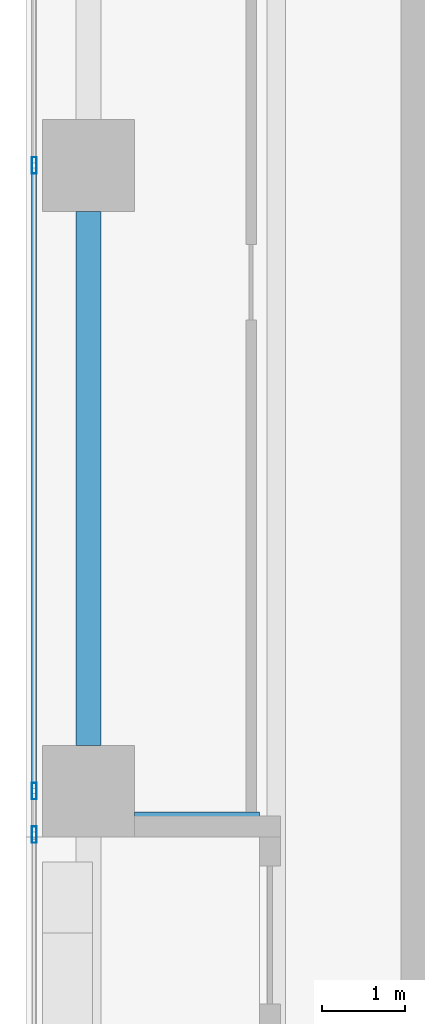
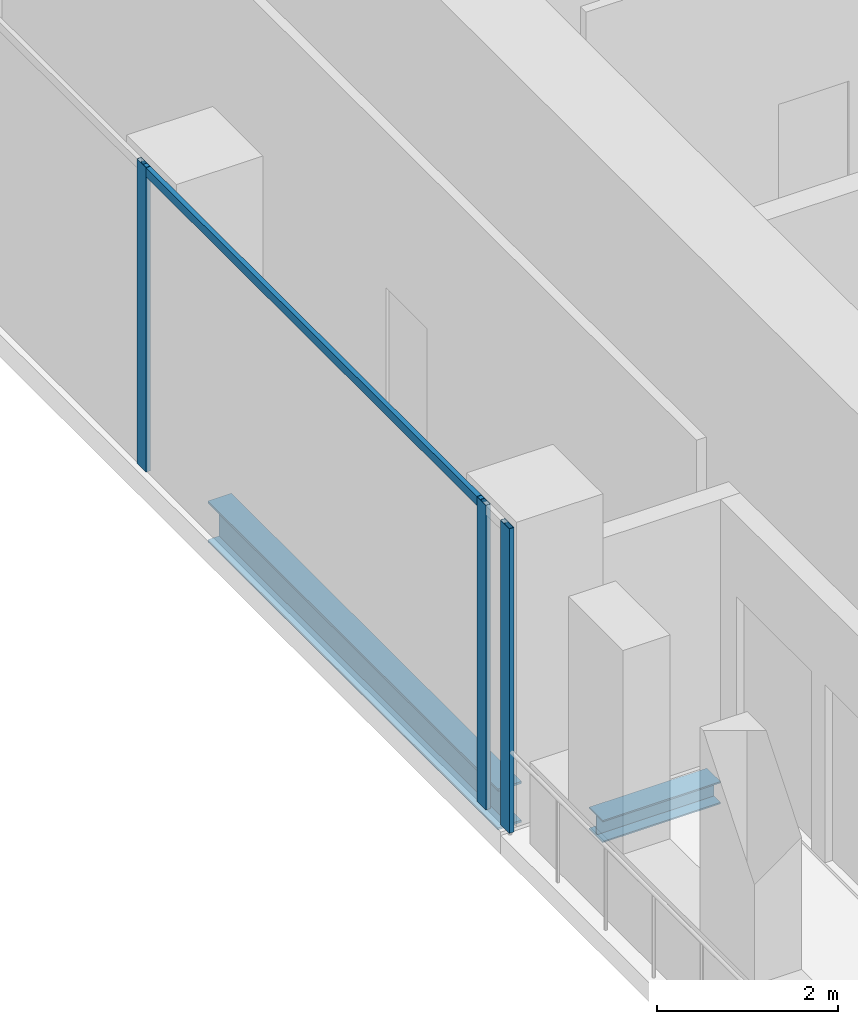
# One storey, part 7 of 33: 4 members, 2 beams, 1 element without a shape of its own.
"""IFC4 building model written with IfcOpenShell, lengths in metres."""

from ifc_helpers import new_model, si_unit, direction, frame, origin, origin_2d, place, context, subcontext, project, spatial, hollow_rectangle, i_section, extrude, source, transform, mapped, material, material_profile, profile_set, type_object, element, aggregate, save


model = new_model("IFC4")

# Units and contexts
model_context = context("Model", 3, precision=1e-05, world=origin(), true_north=direction((0.0, 1.0)))
body_context = subcontext(model_context, "Body", "Model", "MODEL_VIEW")
ifc_project = project(units=[si_unit("LENGTHUNIT", "METRE"), si_unit("AREAUNIT", "SQUARE_METRE"), si_unit("VOLUMEUNIT", "CUBIC_METRE"), si_unit("PLANEANGLEUNIT", "RADIAN"), si_unit("MASSUNIT", "GRAM", prefix="KILO")], contexts=[model_context])

# Site, building, storey
site_placement = place(None, origin())
site = spatial("IfcSite", under=ifc_project, at=site_placement, CompositionType="ELEMENT")
building_placement = place(site_placement, origin())
building = spatial("IfcBuilding", under=site, at=building_placement, Name="Khomas Fold Tower", CompositionType="ELEMENT")
storey_placement = place(building_placement, frame((0.0, 0.0, 149.89990234375)))
storey = spatial("IfcBuildingStorey", under=building, at=storey_placement, Name="L32", CompositionType="ELEMENT", Elevation=149.89990234375)

# Beams
ifc_material_1 = material(Name="Steel S355", Category="steel")
ifc_material_profile_1 = material_profile(ifc_material_1, i_section(OverallWidth=0.300048828125, OverallDepth=0.550048828125, WebThickness=0.014892578125, FlangeThickness=0.029052734375, at=origin_2d()), Name="HE 550 B")
ifc_profile_set_1 = profile_set([ifc_material_profile_1], Name="Steel S355")
beam_type_1 = type_object("IfcBeamType", Name="HE 550 B spandrel SB2", PredefinedType="SPANDREL", material=ifc_profile_set_1)
shared_shape_1 = source(origin(), body_context, "Body", "SweptSolid", [
    extrude(i_section(OverallWidth=0.300048828125, OverallDepth=0.550048828125, WebThickness=0.014892578125, FlangeThickness=0.029052734375, at=origin_2d()), origin(), (0.0, 0.0, 1.0), 6.39990234375),
])
beam_1_placement = place(storey_placement, frame((2.25, 20.050048828125, -0.574951171875), z_axis=(0.0, 1.0, 0.0), x_axis=(-1.0, 0.0, 0.0)))
element("IfcBeam", 1, at=beam_1_placement, inside=storey, type_object=beam_type_1, Name="SB2", PredefinedType="SPANDREL", context=body_context, shape_type="MappedRepresentation", body=[
    mapped(shared_shape_1, transform((0.0, 0.0, 0.0))),
])
ifc_material_2 = material(Name="Steel S355", Category="steel")
ifc_material_profile_2 = material_profile(ifc_material_2, i_section(OverallWidth=0.300048828125, OverallDepth=0.300048828125, WebThickness=0.010986328125, FlangeThickness=0.01904296875, at=origin_2d()), Name="HE 300 B")
ifc_profile_set_2 = profile_set([ifc_material_profile_2], Name="Steel S355")
beam_type_2 = type_object("IfcBeamType", Name="HE 300 B beam BB1", PredefinedType="BEAM", material=ifc_profile_set_2)
shared_shape_2 = source(origin(), body_context, "Body", "SweptSolid", [
    extrude(i_section(OverallWidth=0.300048828125, OverallDepth=0.300048828125, WebThickness=0.010986328125, FlangeThickness=0.01904296875, at=origin_2d()), origin(), (0.0, 0.0, 1.0), 1.5),
])
beam_2_placement = place(storey_placement, frame((2.800048828125, 19.10009765625, -0.449951171875), z_axis=(1.0, 0.0, 0.0), x_axis=(0.0, 1.0, 0.0)))
element("IfcBeam", 2, at=beam_2_placement, inside=storey, type_object=beam_type_2, Name="BB1", PredefinedType="BEAM", context=body_context, shape_type="MappedRepresentation", body=[
    mapped(shared_shape_2, transform((0.0, 0.0, 0.0))),
])

# Curtain wall, members
ifc_material_3 = material(Name="Aluminium framed double glazing", Category="aluminium")
curtain_wall_type = type_object("IfcCurtainWallType", Name="SK-Unitised clear-glass wall, growing floors CW1", PredefinedType="NOTDEFINED", material=ifc_material_3)
curtain_wall_placement = place(storey_placement, origin())
curtain_wall = element("IfcCurtainWall", 3, at=curtain_wall_placement, inside=storey, type_object=curtain_wall_type, Name="CW1 run L32 09-0", PredefinedType="NOTDEFINED")
ifc_material_4 = material(Name="Aluminium", Category="aluminium")
ifc_material_profile_3 = material_profile(ifc_material_4, hollow_rectangle(XDim=0.06005859375, YDim=0.1201171875, WallThickness=0.00390625, at=origin_2d()), Name="SK-Unitised clear-glass wall, growing floors transom CW1-T")
ifc_profile_set_3 = profile_set([ifc_material_profile_3], Name="Aluminium")
member_type_1 = type_object("IfcMemberType", Name="SK-Unitised clear-glass wall, growing floors transom CW1-T", PredefinedType="USERDEFINED", material=ifc_profile_set_3)
shared_shape_3 = source(origin(), body_context, "Body", "SweptSolid", [
    extrude(hollow_rectangle(XDim=0.06005859375, YDim=0.1201171875, WallThickness=0.00390625, at=origin_2d()), origin(), (0.0, 0.0, 1.0), 7.43994140625),
])
member_1_placement = place(storey_placement, frame((1.60009765625, 26.969970703125, 4.0400390625), z_axis=(0.0, -1.0, 0.0), x_axis=(1.0, 0.0, 0.0)))
member_1 = element("IfcMember", 4, at=member_1_placement, type_object=member_type_1, Name="CW1 transom 5", ObjectType="TRANSOM", PredefinedType="USERDEFINED", context=body_context, shape_type="MappedRepresentation", body=[
    mapped(shared_shape_3, transform((0.0, 0.0, 0.0))),
])
ifc_material_5 = material(Name="Aluminium", Category="aluminium")
ifc_material_profile_4 = material_profile(ifc_material_5, hollow_rectangle(XDim=0.06005859375, YDim=0.199951171875, WallThickness=0.00390625, at=origin_2d()), Name="SK-Unitised clear-glass wall, growing floors mullion CW1-M")
ifc_profile_set_4 = profile_set([ifc_material_profile_4], Name="Aluminium")
member_type_2 = type_object("IfcMemberType", Name="SK-Unitised clear-glass wall, growing floors mullion CW1-M", PredefinedType="MULLION", material=ifc_profile_set_4)
shared_shape_4 = source(origin(), body_context, "Body", "SweptSolid", [
    extrude(hollow_rectangle(XDim=0.06005859375, YDim=0.199951171875, WallThickness=0.00390625, at=origin_2d()), origin(), (0.0, 0.0, 1.0), 4.10009765625),
])
member_2_placement = place(storey_placement, frame((1.60009765625, 27.0, 0.0), z_axis=(0.0, 0.0, 1.0), x_axis=(1.0, 0.0, 0.0)))
member_2 = element("IfcMember", 5, at=member_2_placement, type_object=member_type_2, Name="CW1 mullion 5", PredefinedType="MULLION", context=body_context, shape_type="MappedRepresentation", body=[
    mapped(shared_shape_4, transform((0.0, 0.0, 0.0))),
])
member_3_placement = place(storey_placement, frame((1.60009765625, 19.5, 0.0), z_axis=(0.0, 0.0, 1.0), x_axis=(1.0, 0.0, 0.0)))
member_3 = element("IfcMember", 6, at=member_3_placement, type_object=member_type_2, Name="CW1 mullion 6", PredefinedType="MULLION", context=body_context, shape_type="MappedRepresentation", body=[
    mapped(shared_shape_4, transform((0.0, 0.0, 0.0))),
])
member_4_placement = place(storey_placement, frame((1.60009765625, 18.97998046875, 0.0), z_axis=(0.0, 0.0, 1.0), x_axis=(1.0, 0.0, 0.0)))
member_4 = element("IfcMember", 7, at=member_4_placement, type_object=member_type_2, Name="CW1 mullion 7", PredefinedType="MULLION", context=body_context, shape_type="MappedRepresentation", body=[
    mapped(shared_shape_4, transform((0.0, 0.0, 0.0))),
])
aggregate(curtain_wall, [member_2, member_3, member_4, member_1])

save(model, "model.ifc")
